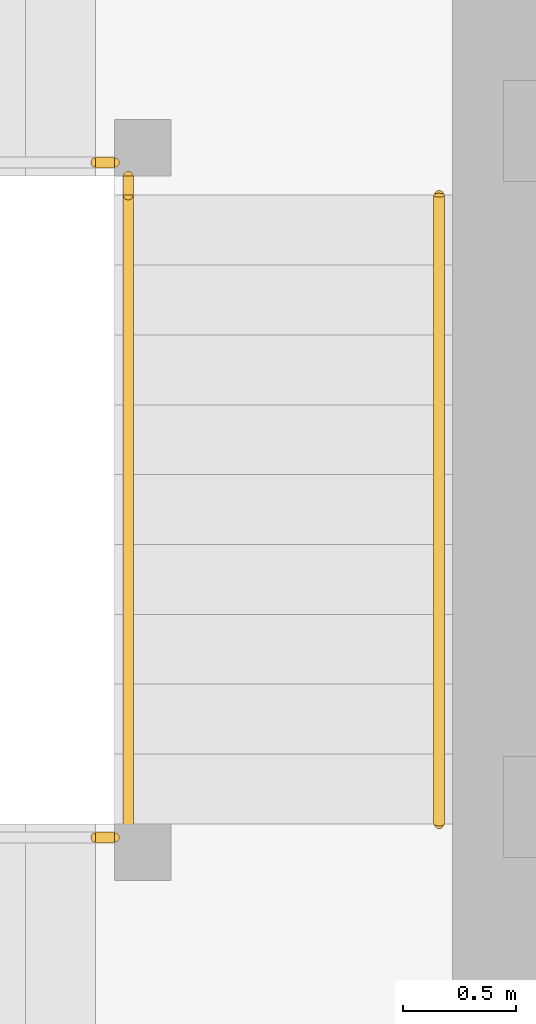
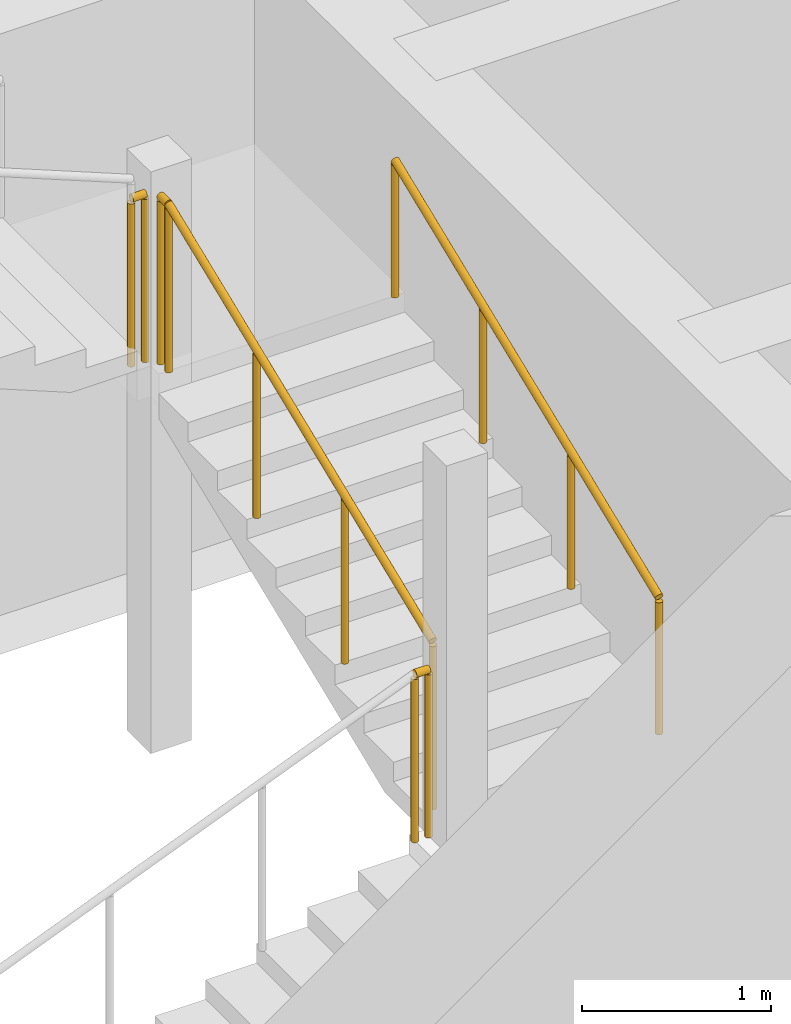
# One storey, part 33 of 39: 5 railings.
"""IFC4 building model written with IfcOpenShell, lengths in metres."""

from ifc_helpers import new_model, si_unit, direction, frame, origin, origin_2d, place, context, subcontext, project, spatial, circle, extrude, material, type_object, element, save


model = new_model("IFC4")

# Units and contexts
model_context = context("Model", 3, precision=1e-05, world=origin(), true_north=direction((0.0, 1.0)))
body_context = subcontext(model_context, "Body", "Model", "MODEL_VIEW")
ifc_project = project(units=[si_unit("LENGTHUNIT", "METRE"), si_unit("AREAUNIT", "SQUARE_METRE"), si_unit("VOLUMEUNIT", "CUBIC_METRE"), si_unit("PLANEANGLEUNIT", "RADIAN"), si_unit("MASSUNIT", "GRAM", prefix="KILO")], contexts=[model_context])

# Site, building, storey
site_placement = place(None, origin())
site = spatial("IfcSite", under=ifc_project, at=site_placement, CompositionType="ELEMENT")
building_placement = place(site_placement, origin())
building = spatial("IfcBuilding", under=site, at=building_placement, Name="Rekha Terrace Tower", CompositionType="ELEMENT")
storey_placement = place(building_placement, frame((0.0, 0.0, 221.449951171875)))
storey = spatial("IfcBuildingStorey", under=building, at=storey_placement, Name="L56", CompositionType="ELEMENT", Elevation=221.449951171875)

# Railings
ifc_material_1 = material(Name="Stainless steel balustrade", Category="steel")
railing_type_1 = type_object("IfcRailingType", Name="GR1 1100 stair guard", PredefinedType="GUARDRAIL", material=ifc_material_1)
railing_1_placement = place(storey_placement, frame((30.135009765625, 41.324951171875, 1.375)))
element("IfcRailing", 1, at=railing_1_placement, inside=storey, type_object=railing_type_1, Name="Guard ST4 L56 flight 2", PredefinedType="GUARDRAIL", context=body_context, shape_type="SweptSolid", body=[
    extrude(circle(Radius=0.02392578125, at=origin_2d()), frame((0.0, 0.0, 1.076171875), z_axis=(0.0, 0.927443287984, 0.373963831907), x_axis=(-1.0, 0.0, 0.0)), (0.0, 0.0, 1.0), 3.00830078125),
    extrude(circle(Radius=0.02099609375, at=origin_2d()), origin(), (0.0, 0.0, 1.0), 1.052001953125),
    extrude(circle(Radius=0.02099609375, at=origin_2d()), frame((0.0, 0.929931640625, 0.375)), (0.0, 0.0, 1.0), 1.052001953125),
    extrude(circle(Radius=0.02099609375, at=origin_2d()), frame((0.0, 1.860107421875, 0.75)), (0.0, 0.0, 1.0), 1.052001953125),
    extrude(circle(Radius=0.02099609375, at=origin_2d()), frame((0.0, 2.7900390625, 1.125)), (0.0, 0.0, 1.0), 1.052001953125),
])
railing_2_placement = place(storey_placement, frame((29.989990234375, 41.264892578125, 1.25)))
element("IfcRailing", 2, at=railing_2_placement, inside=storey, type_object=railing_type_1, Name="Guard ST4 L56 landing 1", PredefinedType="GUARDRAIL", context=body_context, shape_type="SweptSolid", body=[
    extrude(circle(Radius=0.02392578125, at=origin_2d()), frame((0.0, 0.0, 1.076171875), z_axis=(1.0, 0.0, 0.0), x_axis=(0.0, 1.0, 0.0)), (0.0, 0.0, 1.0), 0.0849609375),
    extrude(circle(Radius=0.02099609375, at=origin_2d()), origin(), (0.0, 0.0, 1.0), 1.052001953125),
    extrude(circle(Radius=0.02099609375, at=origin_2d()), frame((0.0849609375, 0.0, 0.0)), (0.0, 0.0, 1.0), 1.052001953125),
])
railing_3_placement = place(storey_placement, frame((30.135009765625, 44.114990234375, 2.5)))
element("IfcRailing", 3, at=railing_3_placement, inside=storey, type_object=railing_type_1, Name="Guard ST4 L56 landing 2", PredefinedType="GUARDRAIL", context=body_context, shape_type="SweptSolid", body=[
    extrude(circle(Radius=0.02392578125, at=origin_2d()), frame((0.0, 0.0, 1.076171875), z_axis=(0.0, 1.0, 0.0), x_axis=(-1.0, 0.0, 0.0)), (0.0, 0.0, 1.0), 0.0849609375),
    extrude(circle(Radius=0.02099609375, at=origin_2d()), origin(), (0.0, 0.0, 1.0), 1.052001953125),
    extrude(circle(Radius=0.02099609375, at=origin_2d()), frame((0.0, 0.0849609375, 0.0)), (0.0, 0.0, 1.0), 1.052001953125),
])
railing_4_placement = place(storey_placement, frame((29.989990234375, 44.260009765625, 2.5)))
element("IfcRailing", 4, at=railing_4_placement, inside=storey, type_object=railing_type_1, Name="Guard ST4 L56 landing 3", PredefinedType="GUARDRAIL", context=body_context, shape_type="SweptSolid", body=[
    extrude(circle(Radius=0.02392578125, at=origin_2d()), frame((0.0, 0.0, 1.076171875), z_axis=(1.0, 0.0, 0.0), x_axis=(0.0, 1.0, 0.0)), (0.0, 0.0, 1.0), 0.0849609375),
    extrude(circle(Radius=0.02099609375, at=origin_2d()), origin(), (0.0, 0.0, 1.0), 1.052001953125),
    extrude(circle(Radius=0.02099609375, at=origin_2d()), frame((0.0849609375, 0.0, 0.0)), (0.0, 0.0, 1.0), 1.052001953125),
])
ifc_material_2 = material(Name="Stainless steel tube", Category="steel")
railing_type_2 = type_object("IfcRailingType", Name="HR1 900 stair handrail", PredefinedType="HANDRAIL", material=ifc_material_2)
railing_5_placement = place(storey_placement, frame((31.514892578125, 41.324951171875, 1.375)))
element("IfcRailing", 5, at=railing_5_placement, inside=storey, type_object=railing_type_2, Name="Handrail ST4 L56 flight 2", PredefinedType="HANDRAIL", context=body_context, shape_type="SweptSolid", body=[
    extrude(circle(Radius=0.02392578125, at=origin_2d()), frame((0.0, 0.0, 0.8759765625), z_axis=(0.0, 0.927443287984, 0.373963831907), x_axis=(-1.0, 0.0, 0.0)), (0.0, 0.0, 1.0), 3.00830078125),
    extrude(circle(Radius=0.02099609375, at=origin_2d()), origin(), (0.0, 0.0, 1.0), 0.851806640625),
    extrude(circle(Radius=0.02099609375, at=origin_2d()), frame((0.0, 0.929931640625, 0.375)), (0.0, 0.0, 1.0), 0.851806640625),
    extrude(circle(Radius=0.02099609375, at=origin_2d()), frame((0.0, 1.860107421875, 0.75)), (0.0, 0.0, 1.0), 0.851806640625),
    extrude(circle(Radius=0.02099609375, at=origin_2d()), frame((0.0, 2.7900390625, 1.125)), (0.0, 0.0, 1.0), 0.851806640625),
])

save(model, "model.ifc")
